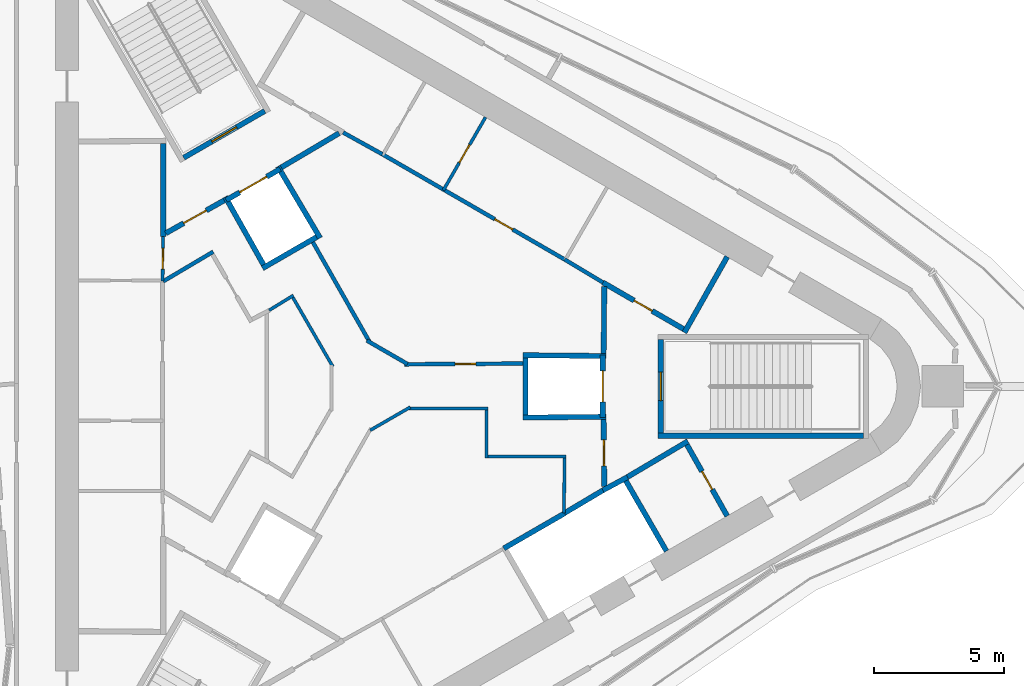
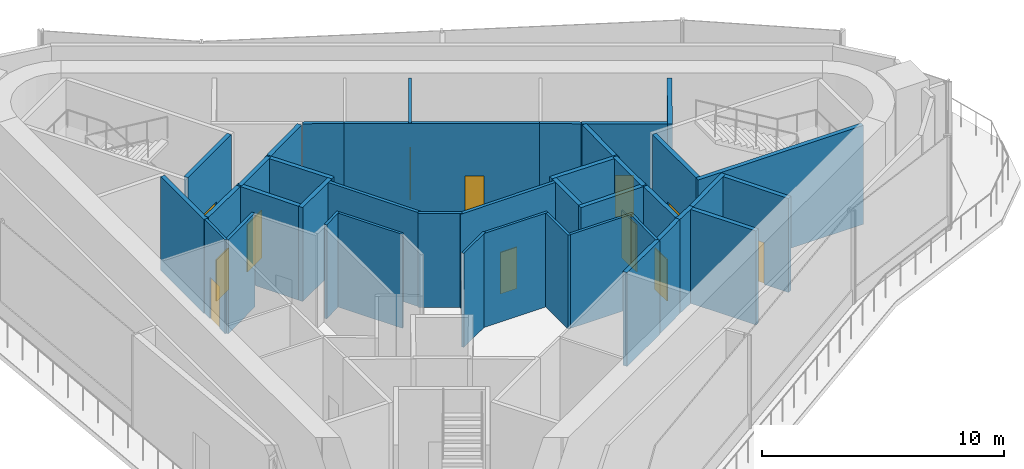
# One storey, part 5 of 8: 40 walls, 12 doors, 12 openings.
"""IFC4 building model written with IfcOpenShell, lengths in metres."""

import ifcopenshell
import ifcopenshell.guid

model = None  # the IFC model being written
_history = None  # IfcOwnerHistory: only IFC2X3 demands one
_inside = {}  # id of a spatial element -> (the spatial element, [elements in it])
_under = {}  # id of a project, library or spatial element -> (it, [spatial elements below it])
_declared = {}  # id of a project -> (the project, [libraries it declares])
_typed = {}  # id of a type object -> (the type object, [elements of that type])
_made_of = {}  # id of a material, layer set ... -> (it, [elements and type objects made of it])


def new_model(schema):
    """Start an empty IFC model of exactly this schema.

    Asked for "IFC4X3", IfcOpenShell would pick the latest addendum, in which some entities
    have other attributes; the version numbers below select the first issue.
    IFC2X3 requires an IfcOwnerHistory on every rooted entity: one is made here for all.
    """
    global model, _history
    if schema == "IFC4X3":
        model = ifcopenshell.file(schema_version=(4, 3, 0, 0))
    else:
        model = ifcopenshell.file(schema=schema)
    _inside.clear()
    _under.clear()
    _declared.clear()
    _typed.clear()
    _made_of.clear()
    _history = None
    if model.schema == "IFC2X3":
        org = make("IfcOrganization", Name="unknown")
        user = make(
            "IfcPersonAndOrganization",
            ThePerson=make("IfcPerson", FamilyName="unknown"),
            TheOrganization=org,
        )
        app = make(
            "IfcApplication",
            ApplicationDeveloper=org,
            Version="unknown",
            ApplicationFullName="unknown",
            ApplicationIdentifier="unknown",
        )
        _history = make(
            "IfcOwnerHistory",
            OwningUser=user,
            OwningApplication=app,
            ChangeAction="ADDED",
            CreationDate=0,
        )
    return model


def make(cls, **values):
    """One entity of the class cls with the attributes given. An attribute that is None is left unset."""
    return model.create_entity(
        cls, **{name: value for name, value in values.items() if value is not None}
    )


def rooted(cls, **values):
    """An entity with a GlobalId (a new one), such as an element, a storey or a relation."""
    return make(cls, GlobalId=ifcopenshell.guid.new(), OwnerHistory=_history, **values)


def si_unit(unit_type, name, prefix=None):
    """IfcSIUnit, for example si_unit("LENGTHUNIT", "METRE", prefix="MILLI")."""
    return make("IfcSIUnit", UnitType=unit_type, Prefix=prefix, Name=name)


def assignment(units):
    """IfcUnitAssignment: the units of a project."""
    return None if units is None else make("IfcUnitAssignment", Units=units)


def point(xyz):
    """IfcCartesianPoint."""
    return None if xyz is None else make("IfcCartesianPoint", Coordinates=xyz)


def direction(xyz):
    """IfcDirection."""
    return None if xyz is None else make("IfcDirection", DirectionRatios=xyz)


def frame(location, z_axis=None, x_axis=None):
    """IfcAxis2Placement3D, a coordinate frame: its origin and axes. An axis left out is left unset."""
    return make(
        "IfcAxis2Placement3D",
        Location=point(location),
        Axis=direction(z_axis),
        RefDirection=direction(x_axis),
    )


def frame_2d(location, x_axis=None):
    """IfcAxis2Placement2D, a coordinate frame in the plane: its origin and x axis."""
    return make(
        "IfcAxis2Placement2D", Location=point(location), RefDirection=direction(x_axis)
    )


def origin():
    """The frame at (0, 0, 0) with its axes left unset."""
    return frame((0.0, 0.0, 0.0))


def place(relative_to, where):
    """IfcLocalPlacement: puts the frame where relative to a parent placement (None: the world)."""
    return make(
        "IfcLocalPlacement", PlacementRelTo=relative_to, RelativePlacement=where
    )


def context(
    kind, dimensions, precision=None, world=None, true_north=None, identifier=None
):
    """IfcGeometricRepresentationContext, for example the 3D "Model" context."""
    return make(
        "IfcGeometricRepresentationContext",
        ContextIdentifier=identifier,
        ContextType=kind,
        CoordinateSpaceDimension=dimensions,
        Precision=precision,
        WorldCoordinateSystem=world,
        TrueNorth=true_north,
    )


def subcontext(parent, identifier, kind, view, scale=None):
    """IfcGeometricRepresentationSubContext, for example "Body" below "Model"."""
    return make(
        "IfcGeometricRepresentationSubContext",
        ContextIdentifier=identifier,
        ContextType=kind,
        ParentContext=parent,
        TargetScale=scale,
        TargetView=view,
    )


def project(units=None, contexts=None):
    """IfcProject with its units and contexts."""
    return rooted(
        "IfcProject",
        Name="project",
        RepresentationContexts=contexts,
        UnitsInContext=assignment(units),
    )


def spatial(cls, under=None, at=None, **own):
    """A site, building, storey or space (cls), placed at a placement, below another one or the project."""
    s = rooted(cls, ObjectPlacement=at, **own)
    if under is not None:
        _under.setdefault(under.id(), (under, []))[1].append(s)
    return s


def profile(cls, at=None, kind="AREA", **sizes):
    """A parametric profile (cls). Its sizes go by their IFC names, for example OverallWidth=200.0."""
    return make(cls, ProfileType=kind, Position=at, **sizes)


def rectangle(**sizes):
    """IfcRectangleProfileDef."""
    return profile("IfcRectangleProfileDef", **sizes)


def extrude(swept, where, along, depth):
    """IfcExtrudedAreaSolid: the profile swept, set in the frame where, extruded along a direction by depth."""
    return make(
        "IfcExtrudedAreaSolid",
        SweptArea=swept,
        Position=where,
        ExtrudedDirection=direction(along),
        Depth=depth,
    )


def shape(context_of_items, identifier, shape_type, items):
    """IfcShapeRepresentation: the items that make up one representation, for example the "Body"."""
    return make(
        "IfcShapeRepresentation",
        ContextOfItems=context_of_items,
        RepresentationIdentifier=identifier,
        RepresentationType=shape_type,
        Items=items,
    )


def material(Name=None, Category=None):
    """IfcMaterial."""
    return make("IfcMaterial", Name=Name, Category=Category)


def layer(
    of_material, thickness, ventilated=None, Name=None, Category=None, Priority=None
):
    """IfcMaterialLayer: one layer of a wall or slab, of a material (None: an air gap)."""
    return make(
        "IfcMaterialLayer",
        Material=of_material,
        LayerThickness=thickness,
        IsVentilated=ventilated,
        Name=Name,
        Category=Category,
        Priority=Priority,
    )


def layer_set(layers, Name=None):
    """IfcMaterialLayerSet."""
    return make("IfcMaterialLayerSet", MaterialLayers=layers, LayerSetName=Name)


def made_of(thing, what):
    """Note that an element or type object is made of a material, layer set ...; save() writes the relation."""
    if what is not None:
        _made_of.setdefault(what.id(), (what, []))[1].append(thing)
    return thing


def type_object(cls, material=None, **own):
    """A type object (cls), such as IfcWallType, which elements share."""
    return made_of(rooted(cls, **own), material)


def element(
    cls,
    number,
    at=None,
    inside=None,
    cuts=None,
    type_object=None,
    material=None,
    context=None,
    identifier="Body",
    shape_type=None,
    held_by="IfcProductDefinitionShape",
    body=None,
    shapes=None,
    **own,
):
    """One element of the class cls, such as IfcWall. Its Tag is "e" and its number.

    at: its placement. inside: the storey or other place that contains it. cuts: it is an
    opening in that element (IfcRelVoidsElement). A single representation is given by context,
    identifier, shape_type and body (its items); several are given by shapes. held_by: the class
    of the entity that holds the representations. save() writes the other relations.
    """
    e = rooted(cls, Tag="e%d" % number, ObjectPlacement=at, **own)
    if body is not None:
        shapes = [shape(context, identifier, shape_type, body)]
    if shapes is not None:
        e.Representation = make(held_by, Representations=shapes)
    if inside is not None:
        _inside.setdefault(inside.id(), (inside, []))[1].append(e)
    if cuts is not None:
        rooted(
            "IfcRelVoidsElement", RelatingBuildingElement=cuts, RelatedOpeningElement=e
        )
    if type_object is not None:
        _typed.setdefault(type_object.id(), (type_object, []))[1].append(e)
    return made_of(e, material)


def fill(opening, filler):
    """IfcRelFillsElement: the door or window that sits in an opening."""
    return rooted(
        "IfcRelFillsElement",
        RelatingOpeningElement=opening,
        RelatedBuildingElement=filler,
    )


def aggregate(whole, parts):
    """IfcRelAggregates: a whole, such as a stair, and the parts it consists of."""
    return rooted("IfcRelAggregates", RelatingObject=whole, RelatedObjects=parts)


def save(model, path):
    """Write the relations noted so far, then the file.

    IfcRelAggregates (storeys below a building ...), IfcRelContainedInSpatialStructure (elements
    in a storey), IfcRelDefinesByType, IfcRelAssociatesMaterial and IfcRelDeclares: one each for
    every whole, place, type object, material and project.
    """
    for whole, parts in _under.values():
        aggregate(whole, parts)
    for where, things in _inside.values():
        rooted(
            "IfcRelContainedInSpatialStructure",
            RelatedElements=things,
            RelatingStructure=where,
        )
    for kind, things in _typed.values():
        rooted("IfcRelDefinesByType", RelatedObjects=things, RelatingType=kind)
    for what, things in _made_of.values():
        rooted("IfcRelAssociatesMaterial", RelatedObjects=things, RelatingMaterial=what)
    for by, libraries in _declared.values():
        rooted("IfcRelDeclares", RelatingContext=by, RelatedDefinitions=libraries)
    model.write(path)


model = new_model("IFC4")

# Units and contexts
model_context = context("Model", 3, precision=1e-05, world=origin(), true_north=direction((0.0, 1.0)))
body_context = subcontext(model_context, "Body", "Model", "MODEL_VIEW")
ifc_project = project(units=[si_unit("LENGTHUNIT", "METRE"), si_unit("AREAUNIT", "SQUARE_METRE"), si_unit("VOLUMEUNIT", "CUBIC_METRE"), si_unit("PLANEANGLEUNIT", "RADIAN"), si_unit("MASSUNIT", "GRAM", prefix="KILO")], contexts=[model_context])

# Site, building, storey
site_placement = place(None, origin())
site = spatial("IfcSite", under=ifc_project, at=site_placement, CompositionType="ELEMENT")
building_placement = place(site_placement, origin())
building = spatial("IfcBuilding", under=site, at=building_placement, Name="Tanit Gate Tower", CompositionType="ELEMENT")
storey_placement = place(building_placement, frame((0.0, 0.0, 435.300048828125)))
storey = spatial("IfcBuildingStorey", under=building, at=storey_placement, Name="L98", CompositionType="ELEMENT", Elevation=435.300048828125)

# Walls
ifc_material_1 = material(Name="Fire-rated gypsum board partition")
ifc_layer_1 = layer(ifc_material_1, 0.199951171875)
ifc_layer_set_1 = layer_set([ifc_layer_1], Name="INT-WALL-COMPARTMENT")
wall_type_1 = type_object("IfcWallType", Name="INT-WALL-COMPARTMENT", PredefinedType="PARTITIONING", material=ifc_layer_set_1)
wall_1_placement = place(storey_placement, frame((-7.949951171875, 5.7724609375, 0.0), z_axis=(0.0, 0.0, 1.0), x_axis=(0.0, 1.0, 0.0)))
element("IfcWall", 1, at=wall_1_placement, inside=storey, type_object=wall_type_1, Name="Wall Compartment W035", PredefinedType="PARTITIONING", context=body_context, shape_type="SweptSolid", body=[
    extrude(rectangle(XDim=3.57763671875, YDim=0.199951171875, at=frame_2d((1.788818359375, 0.0))), origin(), (0.0, 0.0, 1.0), 4.75),
])
wall_2_placement = place(storey_placement, frame((12.10986328125, 2.07275390625, 0.0), z_axis=(0.0, 0.0, 1.0), x_axis=(0.49196600604, 0.870614408852, 0.0)))
element("IfcWall", 2, at=wall_2_placement, inside=storey, type_object=wall_type_1, Name="Wall Compartment W045", PredefinedType="PARTITIONING", context=body_context, shape_type="SweptSolid", body=[
    extrude(rectangle(XDim=3.35009765625, YDim=0.199951171875, at=frame_2d((1.675048828125, 0.0))), origin(), (0.0, 0.0, 1.0), 4.75),
])

# Wall, opening, door
wall_3_placement = place(storey_placement, frame((8.97412109375, 3.998779296875, 0.0), z_axis=(0.0, 0.0, 1.0), x_axis=(0.86601284211, -0.500021756827, 0.0)))
wall_3 = element("IfcWall", 3, at=wall_3_placement, inside=storey, type_object=wall_type_1, Name="Wall Compartment W046", PredefinedType="PARTITIONING", context=body_context, shape_type="SweptSolid", body=[
    extrude(rectangle(XDim=3.577392578125, YDim=0.199951171875, at=frame_2d((1.78857421875, 0.0))), origin(), (0.0, 0.0, 1.0), 4.75),
])
opening_1_placement = place(wall_3_placement, frame((1.388916015625, 0.0, 0.0)))
opening_1 = element("IfcOpeningElement", 4, at=opening_1_placement, cuts=wall_3, Name="Opening R08-98-17", PredefinedType="OPENING", context=body_context, shape_type="SweptSolid", body=[
    extrude(rectangle(XDim=0.800048828125, YDim=2.10009765625, at=frame_2d((0.39990234375, 1.050048828125))), frame((0.0, 0.10986328125, 0.0), z_axis=(0.0, -1.0, 0.0), x_axis=(1.0, 0.0, 0.0)), (0.0, 0.0, 1.0), 0.219970703125),
])
ifc_material_2 = material(Name="Timber door leaf", Category="wood")
door_type_1 = type_object("IfcDoorType", Name="INT-DOOR-RISER-800", OperationType="NOTDEFINED", PredefinedType="USERDEFINED", material=ifc_material_2)
door_1_placement = place(opening_1_placement, origin())
door_1 = element("IfcDoor", 5, at=door_1_placement, inside=storey, type_object=door_type_1, Name="Door R08-98-17", ObjectType="FIRE DOOR", OperationType="SINGLE_SWING_LEFT", OverallHeight=2.10009765625, OverallWidth=0.800048828125, PredefinedType="USERDEFINED", context=body_context, shape_type="SweptSolid", body=[
    extrude(rectangle(XDim=0.800048828125, YDim=2.10009765625, at=frame_2d((0.39990234375, 1.050048828125))), frame((0.0, 0.02490234375, 0.0), z_axis=(0.0, -1.0, 0.0), x_axis=(1.0, 0.0, 0.0)), (0.0, 0.0, 1.0), 0.050048828125),
])
fill(opening_1, door_1)

# Wall
wall_4_placement = place(storey_placement, frame((12.244873046875, -2.10888671875, 0.0), z_axis=(0.0, 0.0, 1.0), x_axis=(-0.860414880418, -0.509594185166, 0.0)))
element("IfcWall", 6, at=wall_4_placement, inside=storey, type_object=wall_type_1, Name="Wall Compartment W060", PredefinedType="PARTITIONING", context=body_context, shape_type="SweptSolid", body=[
    extrude(rectangle(XDim=2.7001953125, YDim=0.199951171875, at=frame_2d((1.35009765625, 0.0))), origin(), (0.0, 0.0, 1.0), 4.75),
])

# Wall, opening, door
wall_5_placement = place(storey_placement, frame((13.758056640625, -4.989501953125, 0.0), z_axis=(0.0, 0.0, 1.0), x_axis=(-0.491993409184, 0.87059892334, 0.0)))
wall_5 = element("IfcWall", 7, at=wall_5_placement, inside=storey, type_object=wall_type_1, Name="Wall Compartment W061", PredefinedType="PARTITIONING", context=body_context, shape_type="SweptSolid", body=[
    extrude(rectangle(XDim=3.150146484375, YDim=0.199951171875, at=frame_2d((1.5751953125, 0.0))), origin(), (0.0, 0.0, 1.0), 4.75),
])
opening_2_placement = place(wall_5_placement, frame((1.175048828125, 0.0, 0.0)))
opening_2 = element("IfcOpeningElement", 8, at=opening_2_placement, cuts=wall_5, Name="Opening R08-98-22", PredefinedType="OPENING", context=body_context, shape_type="SweptSolid", body=[
    extrude(rectangle(XDim=0.800048828125, YDim=2.10009765625, at=frame_2d((0.39990234375, 1.050048828125))), frame((0.0, 0.10986328125, 0.0), z_axis=(0.0, -1.0, 0.0), x_axis=(1.0, 0.0, 0.0)), (0.0, 0.0, 1.0), 0.219970703125),
])
door_2_placement = place(opening_2_placement, origin())
door_2 = element("IfcDoor", 9, at=door_2_placement, inside=storey, type_object=door_type_1, Name="Door R08-98-22", ObjectType="FIRE DOOR", OperationType="SINGLE_SWING_LEFT", OverallHeight=2.10009765625, OverallWidth=0.800048828125, PredefinedType="USERDEFINED", context=body_context, shape_type="SweptSolid", body=[
    extrude(rectangle(XDim=0.800048828125, YDim=2.10009765625, at=frame_2d((0.39990234375, 1.050048828125))), frame((0.0, 0.02490234375, 0.0), z_axis=(0.0, -1.0, 0.0), x_axis=(1.0, 0.0, 0.0)), (0.0, 0.0, 1.0), 0.050048828125),
])
fill(opening_2, door_2)

# Wall
wall_6_placement = place(storey_placement, frame((9.0009765625, 1.27001953125, 0.0), z_axis=(0.0, 0.0, 1.0), x_axis=(0.010780534828, 0.999941888346, 0.0)))
element("IfcWall", 10, at=wall_6_placement, inside=storey, type_object=wall_type_1, Name="Wall Compartment W062", PredefinedType="PARTITIONING", context=body_context, shape_type="SweptSolid", body=[
    extrude(rectangle(XDim=2.581787109375, YDim=0.199951171875, at=frame_2d((1.291015625, 0.0))), origin(), (0.0, 0.0, 1.0), 4.75),
])

# Wall, opening, door
wall_7_placement = place(storey_placement, frame((9.02880859375, -3.850830078125, 0.0), z_axis=(0.0, 0.0, 1.0), x_axis=(-0.010783593937, 0.99994185536, 0.0)))
wall_7 = element("IfcWall", 11, at=wall_7_placement, inside=storey, type_object=wall_type_1, Name="Wall Compartment W063", PredefinedType="PARTITIONING", context=body_context, shape_type="SweptSolid", body=[
    extrude(rectangle(XDim=2.5810546875, YDim=0.199951171875, at=frame_2d((1.29052734375, 0.0))), origin(), (0.0, 0.0, 1.0), 4.75),
])
opening_3_placement = place(wall_7_placement, frame((0.79052734375, 0.0, 0.0)))
opening_3 = element("IfcOpeningElement", 12, at=opening_3_placement, cuts=wall_7, Name="Opening F10-98-02", PredefinedType="OPENING", context=body_context, shape_type="SweptSolid", body=[
    extrude(rectangle(XDim=1.0, YDim=2.10009765625, at=frame_2d((0.5, 1.050048828125))), frame((0.0, 0.10986328125, 0.0), z_axis=(0.0, -1.0, 0.0), x_axis=(1.0, 0.0, 0.0)), (0.0, 0.0, 1.0), 0.219970703125),
])
ifc_material_3 = material(Name="Fire-rated steel door leaf", Category="steel")
door_type_2 = type_object("IfcDoorType", Name="INT-DOOR-FIRE-1000", OperationType="NOTDEFINED", PredefinedType="USERDEFINED", material=ifc_material_3)
door_3_placement = place(opening_3_placement, origin())
door_3 = element("IfcDoor", 13, at=door_3_placement, inside=storey, type_object=door_type_2, Name="Door F10-98-02", ObjectType="FIRE DOOR", OperationType="SINGLE_SWING_RIGHT", OverallHeight=2.10009765625, OverallWidth=1.0, PredefinedType="USERDEFINED", context=body_context, shape_type="SweptSolid", body=[
    extrude(rectangle(XDim=1.0, YDim=2.10009765625, at=frame_2d((0.5, 1.050048828125))), frame((0.0, 0.02490234375, 0.0), z_axis=(0.0, -1.0, 0.0), x_axis=(1.0, 0.0, 0.0)), (0.0, 0.0, 1.0), 0.050048828125),
])
fill(opening_3, door_3)

# Wall
wall_8_placement = place(storey_placement, frame((-1.1787109375, 9.744873046875, 0.0), z_axis=(0.0, 0.0, 1.0), x_axis=(-0.860630814782, -0.509229418482, 0.0)))
element("IfcWall", 14, at=wall_8_placement, inside=storey, type_object=wall_type_1, Name="Wall Compartment W064", PredefinedType="PARTITIONING", context=body_context, shape_type="SweptSolid", body=[
    extrude(rectangle(XDim=2.581787109375, YDim=0.199951171875, at=frame_2d((1.291015625, 0.0))), origin(), (0.0, 0.0, 1.0), 4.75),
])

# Wall, opening, door
wall_9_placement = place(storey_placement, frame((-5.600341796875, 7.16015625, 0.0), z_axis=(0.0, 0.0, 1.0), x_axis=(-0.871350695252, -0.490660744185, 0.0)))
wall_9 = element("IfcWall", 15, at=wall_9_placement, inside=storey, type_object=wall_type_1, Name="Wall Compartment W065", PredefinedType="PARTITIONING", context=body_context, shape_type="SweptSolid", body=[
    extrude(rectangle(XDim=2.58203125, YDim=0.199951171875, at=frame_2d((1.291015625, 0.0))), origin(), (0.0, 0.0, 1.0), 4.75),
])
opening_4_placement = place(wall_9_placement, frame((0.791015625, 0.0, 0.0)))
opening_4 = element("IfcOpeningElement", 16, at=opening_4_placement, cuts=wall_9, Name="Opening F10-98-05", PredefinedType="OPENING", context=body_context, shape_type="SweptSolid", body=[
    extrude(rectangle(XDim=1.0, YDim=2.10009765625, at=frame_2d((0.5, 1.050048828125))), frame((0.0, 0.10986328125, 0.0), z_axis=(0.0, -1.0, 0.0), x_axis=(1.0, 0.0, 0.0)), (0.0, 0.0, 1.0), 0.219970703125),
])
door_4_placement = place(opening_4_placement, origin())
door_4 = element("IfcDoor", 17, at=door_4_placement, inside=storey, type_object=door_type_2, Name="Door F10-98-05", ObjectType="FIRE DOOR", OperationType="SINGLE_SWING_RIGHT", OverallHeight=2.10009765625, OverallWidth=1.0, PredefinedType="USERDEFINED", context=body_context, shape_type="SweptSolid", body=[
    extrude(rectangle(XDim=1.0, YDim=2.10009765625, at=frame_2d((0.5, 1.050048828125))), frame((0.0, 0.02490234375, 0.0), z_axis=(0.0, -1.0, 0.0), x_axis=(1.0, 0.0, 0.0)), (0.0, 0.0, 1.0), 0.050048828125),
])
fill(opening_4, door_4)

ifc_material_4 = material(Name="Gypsum board partition")
ifc_layer_2 = layer(ifc_material_4, 0.1201171875)
ifc_layer_set_2 = layer_set([ifc_layer_2], Name="INT-WALL-PARTITION")
wall_type_2 = type_object("IfcWallType", Name="INT-WALL-PARTITION", PredefinedType="PARTITIONING", material=ifc_layer_set_2)
wall_10_placement = place(storey_placement, frame((-7.971435546875, 4.050048828125, 0.0), z_axis=(0.0, 0.0, 1.0), x_axis=(0.012047318415, 0.999927428426, 0.0)))
wall_10 = element("IfcWall", 18, at=wall_10_placement, inside=storey, type_object=wall_type_2, Name="Wall Partition W036", PredefinedType="PARTITIONING", context=body_context, shape_type="SweptSolid", body=[
    extrude(rectangle(XDim=1.72265625, YDim=0.1201171875, at=frame_2d((0.861328125, 0.0))), origin(), (0.0, 0.0, 1.0), 4.75),
])
opening_5_placement = place(wall_10_placement, frame((0.461181640625, 0.0, 0.0)))
opening_5 = element("IfcOpeningElement", 19, at=opening_5_placement, cuts=wall_10, Name="Opening R08-98-14", PredefinedType="OPENING", context=body_context, shape_type="SweptSolid", body=[
    extrude(rectangle(XDim=0.800048828125, YDim=2.10009765625, at=frame_2d((0.39990234375, 1.050048828125))), frame((0.0, 0.070068359375, 0.0), z_axis=(0.0, -1.0, 0.0), x_axis=(1.0, 0.0, 0.0)), (0.0, 0.0, 1.0), 0.14013671875),
])
door_5_placement = place(opening_5_placement, origin())
door_5 = element("IfcDoor", 20, at=door_5_placement, inside=storey, type_object=door_type_1, Name="Door R08-98-14", ObjectType="FIRE DOOR", OperationType="SINGLE_SWING_RIGHT", OverallHeight=2.10009765625, OverallWidth=0.800048828125, PredefinedType="USERDEFINED", context=body_context, shape_type="SweptSolid", body=[
    extrude(rectangle(XDim=0.800048828125, YDim=2.10009765625, at=frame_2d((0.39990234375, 1.050048828125))), frame((0.0, 0.02490234375, 0.0), z_axis=(0.0, -1.0, 0.0), x_axis=(1.0, 0.0, 0.0)), (0.0, 0.0, 1.0), 0.050048828125),
])
fill(opening_5, door_5)

wall_11_placement = place(storey_placement, frame((4.456787109375, 10.359375, 0.0), z_axis=(0.0, 0.0, 1.0), x_axis=(-0.500017246033, -0.866015446554, 0.0)))
wall_11 = element("IfcWall", 21, at=wall_11_placement, inside=storey, type_object=wall_type_2, Name="Wall Partition W048", PredefinedType="PARTITIONING", context=body_context, shape_type="SweptSolid", body=[
    extrude(rectangle(XDim=3.25, YDim=0.1201171875, at=frame_2d((1.625, 0.0))), origin(), (0.0, 0.0, 1.0), 4.75),
])
opening_6_placement = place(wall_11_placement, frame((1.22509765625, 0.0, 0.0)))
opening_6 = element("IfcOpeningElement", 22, at=opening_6_placement, cuts=wall_11, Name="Opening R08-98-18", PredefinedType="OPENING", context=body_context, shape_type="SweptSolid", body=[
    extrude(rectangle(XDim=0.800048828125, YDim=2.10009765625, at=frame_2d((0.39990234375, 1.050048828125))), frame((0.0, 0.070068359375, 0.0), z_axis=(0.0, -1.0, 0.0), x_axis=(1.0, 0.0, 0.0)), (0.0, 0.0, 1.0), 0.14013671875),
])
door_6_placement = place(opening_6_placement, origin())
door_6 = element("IfcDoor", 23, at=door_6_placement, inside=storey, type_object=door_type_1, Name="Door R08-98-18", ObjectType="FIRE DOOR", OperationType="SINGLE_SWING_RIGHT", OverallHeight=2.10009765625, OverallWidth=0.800048828125, PredefinedType="USERDEFINED", context=body_context, shape_type="SweptSolid", body=[
    extrude(rectangle(XDim=0.800048828125, YDim=2.10009765625, at=frame_2d((0.39990234375, 1.050048828125))), frame((0.0, 0.02490234375, 0.0), z_axis=(0.0, -1.0, 0.0), x_axis=(1.0, 0.0, 0.0)), (0.0, 0.0, 1.0), 0.050048828125),
])
fill(opening_6, door_6)

# Walls
wall_12_placement = place(storey_placement, frame((1.562255859375, -0.798095703125, 0.0), z_axis=(0.0, 0.0, 1.0), x_axis=(-0.86601248742, -0.500022371132, 0.0)))
element("IfcWall", 24, at=wall_12_placement, inside=storey, type_object=wall_type_2, Name="Wall Partition W072", PredefinedType="PARTITIONING", context=body_context, shape_type="SweptSolid", body=[
    extrude(rectangle(XDim=1.78515625, YDim=0.1201171875, at=frame_2d((0.892578125, 0.0))), origin(), (0.0, 0.0, 1.0), 4.75),
])
wall_13_placement = place(storey_placement, frame((4.56005859375, -0.85009765625, 0.0), z_axis=(0.0, 0.0, 1.0), x_axis=(-1.0, 0.0, 0.0)))
element("IfcWall", 25, at=wall_13_placement, inside=storey, type_object=wall_type_2, Name="Wall Partition W073", PredefinedType="PARTITIONING", context=body_context, shape_type="SweptSolid", body=[
    extrude(rectangle(XDim=3.0693359375, YDim=0.1201171875, at=frame_2d((1.53466796875, 0.0))), origin(), (0.0, 0.0, 1.0), 4.75),
])
wall_14_placement = place(storey_placement, frame((4.5, -2.760009765625, 0.0), z_axis=(0.0, 0.0, 1.0), x_axis=(0.0, 1.0, 0.0)))
element("IfcWall", 26, at=wall_14_placement, inside=storey, type_object=wall_type_2, Name="Wall Partition W074", PredefinedType="PARTITIONING", context=body_context, shape_type="SweptSolid", body=[
    extrude(rectangle(XDim=1.85009765625, YDim=0.1201171875, at=frame_2d((0.925048828125, 0.0))), origin(), (0.0, 0.0, 1.0), 4.75),
])
wall_15_placement = place(storey_placement, frame((7.56005859375, -2.699951171875, 0.0), z_axis=(0.0, 0.0, 1.0), x_axis=(-1.0, 0.0, 0.0)))
element("IfcWall", 27, at=wall_15_placement, inside=storey, type_object=wall_type_2, Name="Wall Partition W075", PredefinedType="PARTITIONING", context=body_context, shape_type="SweptSolid", body=[
    extrude(rectangle(XDim=3.0, YDim=0.1201171875, at=frame_2d((1.5, 0.0))), origin(), (0.0, 0.0, 1.0), 4.75),
])
wall_16_placement = place(storey_placement, frame((7.474609375, -4.864501953125, 0.0), z_axis=(0.0, 0.0, 1.0), x_axis=(0.011716133148, 0.999931363757, 0.0)))
element("IfcWall", 28, at=wall_16_placement, inside=storey, type_object=wall_type_2, Name="Wall Partition W076", PredefinedType="PARTITIONING", context=body_context, shape_type="SweptSolid", body=[
    extrude(rectangle(XDim=2.104736328125, YDim=0.1201171875, at=frame_2d((1.05224609375, 0.0))), origin(), (0.0, 0.0, 1.0), 4.75),
])
wall_17_placement = place(storey_placement, frame((-2.93505859375, 3.50341796875, 0.0), z_axis=(0.0, 0.0, 1.0), x_axis=(-0.852482838041, -0.522755211209, 0.0)))
element("IfcWall", 29, at=wall_17_placement, inside=storey, type_object=wall_type_2, Name="Wall Partition W084", PredefinedType="PARTITIONING", context=body_context, shape_type="SweptSolid", body=[
    extrude(rectangle(XDim=1.0966796875, YDim=0.1201171875, at=frame_2d((0.54833984375, 0.0))), origin(), (0.0, 0.0, 1.0), 4.75),
])
wall_18_placement = place(storey_placement, frame((-1.420166015625, 0.760009765625, 0.0), z_axis=(0.0, 0.0, 1.0), x_axis=(-0.500011413361, 0.866018814177, 0.0)))
element("IfcWall", 30, at=wall_18_placement, inside=storey, type_object=wall_type_2, Name="Wall Partition W085", PredefinedType="PARTITIONING", context=body_context, shape_type="SweptSolid", body=[
    extrude(rectangle(XDim=3.07177734375, YDim=0.1201171875, at=frame_2d((1.535888671875, 0.0))), origin(), (0.0, 0.0, 1.0), 4.75),
])
ifc_material_5 = material(Name="Fire-rated gypsum board partition")
ifc_layer_3 = layer(ifc_material_5, 0.14990234375)
ifc_layer_set_3 = layer_set([ifc_layer_3], Name="INT-WALL-RISER")
wall_type_3 = type_object("IfcWallType", Name="INT-WALL-RISER", PredefinedType="PLUMBINGWALL", material=ifc_layer_set_3)
wall_19_placement = place(storey_placement, frame((8.974609375, 3.999755859375, 0.0), z_axis=(0.0, 0.0, 1.0), x_axis=(-0.857530436795, 0.514433231791, 0.0)))
element("IfcWall", 31, at=wall_19_placement, inside=storey, type_object=wall_type_3, Name="Wall Riser W047", PredefinedType="PLUMBINGWALL", context=body_context, shape_type="SweptSolid", body=[
    extrude(rectangle(XDim=1.72265625, YDim=0.14990234375, at=frame_2d((0.861328125, 0.0))), origin(), (0.0, 0.0, 1.0), 4.75),
])

# Wall, opening, door
wall_20_placement = place(storey_placement, frame((7.497314453125, 4.885986328125, 0.0), z_axis=(0.0, 0.0, 1.0), x_axis=(-0.866030989016, 0.499990325971, 0.0)))
wall_20 = element("IfcWall", 32, at=wall_20_placement, inside=storey, type_object=wall_type_3, Name="Wall Riser W049", PredefinedType="PLUMBINGWALL", context=body_context, shape_type="SweptSolid", body=[
    extrude(rectangle(XDim=8.099853515625, YDim=0.14990234375, at=frame_2d((4.0498046875, 0.0))), origin(), (0.0, 0.0, 1.0), 4.75),
])
opening_7_placement = place(wall_20_placement, frame((2.300048828125, 0.0, 0.0)))
opening_7 = element("IfcOpeningElement", 33, at=opening_7_placement, cuts=wall_20, Name="Opening R08-98-24", PredefinedType="OPENING", context=body_context, shape_type="SweptSolid", body=[
    extrude(rectangle(XDim=0.800048828125, YDim=2.10009765625, at=frame_2d((0.39990234375, 1.050048828125))), frame((0.0, 0.0849609375, 0.0), z_axis=(0.0, -1.0, 0.0), x_axis=(1.0, 0.0, 0.0)), (0.0, 0.0, 1.0), 0.169921875),
])
door_7_placement = place(opening_7_placement, origin())
door_7 = element("IfcDoor", 34, at=door_7_placement, inside=storey, type_object=door_type_1, Name="Door R08-98-24", ObjectType="FIRE DOOR", OperationType="SINGLE_SWING_RIGHT", OverallHeight=2.10009765625, OverallWidth=0.800048828125, PredefinedType="USERDEFINED", context=body_context, shape_type="SweptSolid", body=[
    extrude(rectangle(XDim=0.800048828125, YDim=2.10009765625, at=frame_2d((0.39990234375, 1.050048828125))), frame((0.0, 0.02490234375, 0.0), z_axis=(0.0, -1.0, 0.0), x_axis=(1.0, 0.0, 0.0)), (0.0, 0.0, 1.0), 0.050048828125),
])
fill(opening_7, door_7)

# Wall
wall_21_placement = place(storey_placement, frame((0.482666015625, 8.935791015625, 0.0), z_axis=(0.0, 0.0, 1.0), x_axis=(-0.874290944206, 0.485402250592, 0.0)))
element("IfcWall", 35, at=wall_21_placement, inside=storey, type_object=wall_type_3, Name="Wall Riser W054", PredefinedType="PLUMBINGWALL", context=body_context, shape_type="SweptSolid", body=[
    extrude(rectangle(XDim=1.72265625, YDim=0.14990234375, at=frame_2d((0.861328125, 0.0))), origin(), (0.0, 0.0, 1.0), 4.75),
])

# Wall, opening, door
wall_22_placement = place(storey_placement, frame((1.34423828125, 0.84912109375, 0.0), z_axis=(0.0, 0.0, 1.0), x_axis=(0.999978627641, 0.00653790957, 0.0)))
wall_22 = element("IfcWall", 36, at=wall_22_placement, inside=storey, type_object=wall_type_3, Name="Wall Riser W068", PredefinedType="PLUMBINGWALL", context=body_context, shape_type="SweptSolid", body=[
    extrude(rectangle(XDim=4.5556640625, YDim=0.14990234375, at=frame_2d((2.27783203125, 0.0))), origin(), (0.0, 0.0, 1.0), 4.75),
])
opening_8_placement = place(wall_22_placement, frame((1.94189453125, 0.0, 0.0)))
opening_8 = element("IfcOpeningElement", 37, at=opening_8_placement, cuts=wall_22, Name="Opening R08-98-10", PredefinedType="OPENING", context=body_context, shape_type="SweptSolid", body=[
    extrude(rectangle(XDim=0.800048828125, YDim=2.10009765625, at=frame_2d((0.39990234375, 1.050048828125))), frame((0.0, 0.0849609375, 0.0), z_axis=(0.0, -1.0, 0.0), x_axis=(1.0, 0.0, 0.0)), (0.0, 0.0, 1.0), 0.169921875),
])
door_8_placement = place(opening_8_placement, origin())
door_8 = element("IfcDoor", 38, at=door_8_placement, inside=storey, type_object=door_type_1, Name="Door R08-98-10", ObjectType="FIRE DOOR", OperationType="SINGLE_SWING_LEFT", OverallHeight=2.10009765625, OverallWidth=0.800048828125, PredefinedType="USERDEFINED", context=body_context, shape_type="SweptSolid", body=[
    extrude(rectangle(XDim=0.800048828125, YDim=2.10009765625, at=frame_2d((0.39990234375, 1.050048828125))), frame((0.0, 0.02490234375, 0.0), z_axis=(0.0, -1.0, 0.0), x_axis=(1.0, 0.0, 0.0)), (0.0, 0.0, 1.0), 0.050048828125),
])
fill(opening_8, door_8)

# Walls
wall_23_placement = place(storey_placement, frame((-0.11083984375, 1.763916015625, 0.0), z_axis=(0.0, 0.0, 1.0), x_axis=(0.866061671171, -0.499937177781, 0.0)))
element("IfcWall", 39, at=wall_23_placement, inside=storey, type_object=wall_type_3, Name="Wall Riser W069", PredefinedType="PLUMBINGWALL", context=body_context, shape_type="SweptSolid", body=[
    extrude(rectangle(XDim=1.804443359375, YDim=0.14990234375, at=frame_2d((0.90234375, 0.0))), origin(), (0.0, 0.0, 1.0), 4.75),
])
wall_24_placement = place(storey_placement, frame((-2.18896484375, 5.549072265625, 0.0), z_axis=(0.0, 0.0, 1.0), x_axis=(0.494335077001, -0.869271437266, 0.0)))
element("IfcWall", 40, at=wall_24_placement, inside=storey, type_object=wall_type_3, Name="Wall Riser W070", PredefinedType="PLUMBINGWALL", context=body_context, shape_type="SweptSolid", body=[
    extrude(rectangle(XDim=4.404296875, YDim=0.14990234375, at=frame_2d((2.2021484375, 0.0))), origin(), (0.0, 0.0, 1.0), 4.75),
])
wall_25_placement = place(storey_placement, frame((-6.023681640625, 5.183349609375, 0.0), z_axis=(0.0, 0.0, 1.0), x_axis=(-0.860126804455, -0.510080268447, 0.0)))
element("IfcWall", 41, at=wall_25_placement, inside=storey, type_object=wall_type_3, Name="Wall Riser W081", PredefinedType="PLUMBINGWALL", context=body_context, shape_type="SweptSolid", body=[
    extrude(rectangle(XDim=2.239501953125, YDim=0.14990234375, at=frame_2d((1.11962890625, 0.0))), origin(), (0.0, 0.0, 1.0), 4.75),
])
ifc_material_6 = material(Name="Gypsum shaft wall system")
ifc_layer_4 = layer(ifc_material_6, 0.199951171875)
ifc_layer_set_4 = layer_set([ifc_layer_4], Name="INT-WALL-SHAFT")
wall_type_4 = type_object("IfcWallType", Name="INT-WALL-SHAFT", PredefinedType="PLUMBINGWALL", material=ifc_layer_set_4)
wall_26_placement = place(storey_placement, frame((5.1591796875, -6.23583984375, 0.0), z_axis=(0.0, 0.0, 1.0), x_axis=(0.866036505625, 0.499980770555, 0.0)))
element("IfcWall", 42, at=wall_26_placement, inside=storey, type_object=wall_type_4, Name="Wall Shaft W002", PredefinedType="PLUMBINGWALL", context=body_context, shape_type="SweptSolid", body=[
    extrude(rectangle(XDim=2.69970703125, YDim=0.199951171875, at=frame_2d((1.349853515625, 0.0))), origin(), (0.0, 0.0, 1.0), 4.75),
])
wall_27_placement = place(storey_placement, frame((9.794677734375, -3.52490234375, 0.0), z_axis=(0.0, 0.0, 1.0), x_axis=(0.499984717929, -0.866034226713, 0.0)))
element("IfcWall", 43, at=wall_27_placement, inside=storey, type_object=wall_type_4, Name="Wall Shaft W003", PredefinedType="PLUMBINGWALL", context=body_context, shape_type="SweptSolid", body=[
    extrude(rectangle(XDim=3.25, YDim=0.199951171875, at=frame_2d((1.625, 0.0))), origin(), (0.0, 0.0, 1.0), 4.75),
])
wall_28_placement = place(storey_placement, frame((8.97412109375, -3.998779296875, 0.0), z_axis=(0.0, 0.0, 1.0), x_axis=(0.880907015104, 0.473289373154, 0.0)))
element("IfcWall", 44, at=wall_28_placement, inside=storey, type_object=wall_type_4, Name="Wall Shaft W004", PredefinedType="PLUMBINGWALL", context=body_context, shape_type="SweptSolid", body=[
    extrude(rectangle(XDim=1.078125, YDim=0.199951171875, at=frame_2d((0.5390625, 0.0))), origin(), (0.0, 0.0, 1.0), 4.75),
])
wall_29_placement = place(storey_placement, frame((7.4931640625, -4.87841796875, 0.0), z_axis=(0.0, 0.0, 1.0), x_axis=(0.859981807212, 0.510324691999, 0.0)))
element("IfcWall", 45, at=wall_29_placement, inside=storey, type_object=wall_type_4, Name="Wall Shaft W005", PredefinedType="PLUMBINGWALL", context=body_context, shape_type="SweptSolid", body=[
    extrude(rectangle(XDim=1.8447265625, YDim=0.199951171875, at=frame_2d((0.92236328125, 0.0))), origin(), (0.0, 0.0, 1.0), 4.75),
])

# Wall, opening, door
wall_30_placement = place(storey_placement, frame((8.969970703125, 1.199951171875, 0.0), z_axis=(0.0, 0.0, 1.0), x_axis=(0.0, -1.0, 0.0)))
wall_30 = element("IfcWall", 46, at=wall_30_placement, inside=storey, type_object=wall_type_4, Name="Wall Shaft W010", PredefinedType="PLUMBINGWALL", context=body_context, shape_type="SweptSolid", body=[
    extrude(rectangle(XDim=2.39990234375, YDim=0.199951171875, at=frame_2d((1.199951171875, 0.0))), origin(), (0.0, 0.0, 1.0), 4.75),
])
opening_9_placement = place(wall_30_placement, frame((0.60009765625, 0.0, 0.0)))
opening_9 = element("IfcOpeningElement", 47, at=opening_9_placement, cuts=wall_30, Name="Opening LDFL1-L98", PredefinedType="OPENING", context=body_context, shape_type="SweptSolid", body=[
    extrude(rectangle(XDim=1.199951171875, YDim=2.39990234375, at=frame_2d((0.60009765625, 1.199951171875))), frame((0.0, 0.10986328125, 0.0), z_axis=(0.0, -1.0, 0.0), x_axis=(1.0, 0.0, 0.0)), (0.0, 0.0, 1.0), 0.219970703125),
])
ifc_material_7 = material(Name="Stainless steel sliding door leaf", Category="steel")
door_type_3 = type_object("IfcDoorType", Name="INT-DOOR-LANDING-1200", OperationType="NOTDEFINED", PredefinedType="USERDEFINED", material=ifc_material_7)
door_9_placement = place(opening_9_placement, origin())
door_9 = element("IfcDoor", 48, at=door_9_placement, inside=storey, type_object=door_type_3, Name="Door LDFL1-L98", ObjectType="LANDING DOOR", OperationType="SLIDING_TO_LEFT", OverallHeight=2.39990234375, OverallWidth=1.199951171875, PredefinedType="USERDEFINED", context=body_context, shape_type="SweptSolid", body=[
    extrude(rectangle(XDim=1.199951171875, YDim=2.39990234375, at=frame_2d((0.60009765625, 1.199951171875))), frame((0.0, 0.02490234375, 0.0), z_axis=(0.0, -1.0, 0.0), x_axis=(1.0, 0.0, 0.0)), (0.0, 0.0, 1.0), 0.050048828125),
])
fill(opening_9, door_9)

# Walls
wall_31_placement = place(storey_placement, frame((6.0, -1.10009765625, 0.0), z_axis=(0.0, 0.0, 1.0), x_axis=(0.0, 1.0, 0.0)))
element("IfcWall", 49, at=wall_31_placement, inside=storey, type_object=wall_type_4, Name="Wall Shaft W014", PredefinedType="PLUMBINGWALL", context=body_context, shape_type="SweptSolid", body=[
    extrude(rectangle(XDim=2.2001953125, YDim=0.199951171875, at=frame_2d((1.10009765625, 0.0))), origin(), (0.0, 0.0, 1.0), 4.75),
])
for number, where, z_axis, x_axis, name in (
    (50, (5.89990234375, 1.200927734375, 0.0), (0.0, 0.0, 1.0), (0.999950064753, -0.009993397809, 0.0), "Wall Shaft W012"),
    (51, (5.89990234375, -1.200927734375, 0.0), (0.0, 0.0, 1.0), (0.999950064753, 0.009993397809, 0.0), "Wall Shaft W013"),
):
    element("IfcWall", number, at=place(storey_placement, frame(where, z_axis=z_axis, x_axis=x_axis)), inside=storey, type_object=wall_type_4, Name=name, PredefinedType="PLUMBINGWALL", context=body_context, shape_type="SweptSolid", body=[
        extrude(rectangle(XDim=3.200439453125, YDim=0.199951171875, at=frame_2d((1.60009765625, 0.0))), origin(), (0.0, 0.0, 1.0), 4.75),
    ])

# Wall, opening, door
wall_32_placement = place(storey_placement, frame((-5.524169921875, 7.168212890625, 0.0), z_axis=(0.0, 0.0, 1.0), x_axis=(0.866024647952, 0.500001309137, 0.0)))
wall_32 = element("IfcWall", 52, at=wall_32_placement, inside=storey, type_object=wall_type_4, Name="Wall Shaft W019", PredefinedType="PLUMBINGWALL", context=body_context, shape_type="SweptSolid", body=[
    extrude(rectangle(XDim=2.39990234375, YDim=0.199951171875, at=frame_2d((1.199951171875, 0.0))), origin(), (0.0, 0.0, 1.0), 4.75),
])
opening_10_placement = place(wall_32_placement, frame((0.60009765625, 0.0, 0.0)))
opening_10 = element("IfcOpeningElement", 53, at=opening_10_placement, cuts=wall_32, Name="Opening LDFL2-L98", PredefinedType="OPENING", context=body_context, shape_type="SweptSolid", body=[
    extrude(rectangle(XDim=1.199951171875, YDim=2.39990234375, at=frame_2d((0.60009765625, 1.199951171875))), frame((0.0, 0.10986328125, 0.0), z_axis=(0.0, -1.0, 0.0), x_axis=(1.0, 0.0, 0.0)), (0.0, 0.0, 1.0), 0.219970703125),
])
door_10_placement = place(opening_10_placement, origin())
door_10 = element("IfcDoor", 54, at=door_10_placement, inside=storey, type_object=door_type_3, Name="Door LDFL2-L98", ObjectType="LANDING DOOR", OperationType="SLIDING_TO_LEFT", OverallHeight=2.39990234375, OverallWidth=1.199951171875, PredefinedType="USERDEFINED", context=body_context, shape_type="SweptSolid", body=[
    extrude(rectangle(XDim=1.199951171875, YDim=2.39990234375, at=frame_2d((0.60009765625, 1.199951171875))), frame((0.0, 0.02490234375, 0.0), z_axis=(0.0, -1.0, 0.0), x_axis=(1.0, 0.0, 0.0)), (0.0, 0.0, 1.0), 0.050048828125),
])
fill(opening_10, door_10)

# Walls
wall_33_placement = place(storey_placement, frame((-3.53759765625, 8.46533203125, 0.0), z_axis=(0.0, 0.0, 1.0), x_axis=(0.508616218331, -0.860993346345, 0.0)))
element("IfcWall", 55, at=wall_33_placement, inside=storey, type_object=wall_type_4, Name="Wall Shaft W020", PredefinedType="PLUMBINGWALL", context=body_context, shape_type="SweptSolid", body=[
    extrude(rectangle(XDim=3.2001953125, YDim=0.199951171875, at=frame_2d((1.60009765625, 0.0))), origin(), (0.0, 0.0, 1.0), 4.75),
])
wall_34_placement = place(storey_placement, frame((-2.04736328125, 5.74609375, 0.0), z_axis=(0.0, 0.0, 1.0), x_axis=(-0.866024647952, -0.500001309137, 0.0)))
element("IfcWall", 56, at=wall_34_placement, inside=storey, type_object=wall_type_4, Name="Wall Shaft W021", PredefinedType="PLUMBINGWALL", context=body_context, shape_type="SweptSolid", body=[
    extrude(rectangle(XDim=2.39990234375, YDim=0.199951171875, at=frame_2d((1.199951171875, 0.0))), origin(), (0.0, 0.0, 1.0), 4.75),
])
wall_35_placement = place(storey_placement, frame((-5.5625, 7.29638671875, 0.0), z_axis=(0.0, 0.0, 1.0), x_axis=(0.49134651263, -0.870964180966, 0.0)))
element("IfcWall", 57, at=wall_35_placement, inside=storey, type_object=wall_type_4, Name="Wall Shaft W023", PredefinedType="PLUMBINGWALL", context=body_context, shape_type="SweptSolid", body=[
    extrude(rectangle(XDim=3.000244140625, YDim=0.199951171875, at=frame_2d((1.5, 0.0))), origin(), (0.0, 0.0, 1.0), 4.75),
])
ifc_material_8 = material(Name="Concrete C40/50", Category="concrete")
ifc_layer_5 = layer(ifc_material_8, 0.199951171875)
ifc_layer_set_5 = layer_set([ifc_layer_5], Name="INT-WALL-STAIR")
wall_type_5 = type_object("IfcWallType", Name="INT-WALL-STAIR", PredefinedType="SHEAR", material=ifc_layer_set_5)
wall_36_placement = place(storey_placement, frame((11.10009765625, -1.89990234375, -0.25), z_axis=(0.0, 0.0, 1.0), x_axis=(1.0, 0.0, 0.0)))
element("IfcWall", 58, at=wall_36_placement, inside=storey, type_object=wall_type_5, Name="Wall Stair W008", PredefinedType="SHEAR", context=body_context, shape_type="SweptSolid", body=[
    extrude(rectangle(XDim=7.89990234375, YDim=0.199951171875, at=frame_2d((3.949951171875, 0.0))), origin(), (0.0, 0.0, 1.0), 5.0),
])

# Wall, opening, door
wall_37_placement = place(storey_placement, frame((11.199951171875, -1.800048828125, -0.25), z_axis=(0.0, 0.0, 1.0), x_axis=(0.0, 1.0, 0.0)))
wall_37 = element("IfcWall", 59, at=wall_37_placement, inside=storey, type_object=wall_type_5, Name="Wall Stair W009", PredefinedType="SHEAR", context=body_context, shape_type="SweptSolid", body=[
    extrude(rectangle(XDim=3.60009765625, YDim=0.199951171875, at=frame_2d((1.800048828125, 0.0))), origin(), (0.0, 0.0, 1.0), 5.0),
])
opening_11_placement = place(wall_37_placement, frame((1.25, 0.0, 0.25)))
opening_11 = element("IfcOpeningElement", 60, at=opening_11_placement, cuts=wall_37, Name="Opening S11-98-01", PredefinedType="OPENING", context=body_context, shape_type="SweptSolid", body=[
    extrude(rectangle(XDim=1.10009765625, YDim=2.10009765625, at=frame_2d((0.550048828125, 1.050048828125))), frame((0.0, 0.10986328125, 0.0), z_axis=(0.0, -1.0, 0.0), x_axis=(1.0, 0.0, 0.0)), (0.0, 0.0, 1.0), 0.219970703125),
])
ifc_material_9 = material(Name="Timber door leaf", Category="wood")
door_type_4 = type_object("IfcDoorType", Name="INT-DOOR-STAIR-1100", OperationType="NOTDEFINED", PredefinedType="USERDEFINED", material=ifc_material_9)
door_11_placement = place(opening_11_placement, origin())
door_11 = element("IfcDoor", 61, at=door_11_placement, inside=storey, type_object=door_type_4, Name="Door S11-98-01", ObjectType="FIRE DOOR", OperationType="SINGLE_SWING_RIGHT", OverallHeight=2.10009765625, OverallWidth=1.10009765625, PredefinedType="USERDEFINED", context=body_context, shape_type="SweptSolid", body=[
    extrude(rectangle(XDim=1.10009765625, YDim=2.10009765625, at=frame_2d((0.550048828125, 1.050048828125))), frame((0.0, 0.02490234375, 0.0), z_axis=(0.0, -1.0, 0.0), x_axis=(1.0, 0.0, 0.0)), (0.0, 0.0, 1.0), 0.050048828125),
])
fill(opening_11, door_11)

wall_38_placement = place(storey_placement, frame((-7.158935546875, 8.799560546875, -0.25), z_axis=(0.0, 0.0, 1.0), x_axis=(0.866047807691, 0.499961193289, 0.0)))
wall_38 = element("IfcWall", 62, at=wall_38_placement, inside=storey, type_object=wall_type_5, Name="Wall Stair W018", PredefinedType="SHEAR", context=body_context, shape_type="SweptSolid", body=[
    extrude(rectangle(XDim=3.599853515625, YDim=0.199951171875, at=frame_2d((1.7998046875, 0.0))), origin(), (0.0, 0.0, 1.0), 5.0),
])
opening_12_placement = place(wall_38_placement, frame((1.25, 0.0, 0.25)))
opening_12 = element("IfcOpeningElement", 63, at=opening_12_placement, cuts=wall_38, Name="Opening S11-98-04", PredefinedType="OPENING", context=body_context, shape_type="SweptSolid", body=[
    extrude(rectangle(XDim=1.10009765625, YDim=2.10009765625, at=frame_2d((0.550048828125, 1.050048828125))), frame((0.0, 0.10986328125, 0.0), z_axis=(0.0, -1.0, 0.0), x_axis=(1.0, 0.0, 0.0)), (0.0, 0.0, 1.0), 0.219970703125),
])
door_12_placement = place(opening_12_placement, origin())
door_12 = element("IfcDoor", 64, at=door_12_placement, inside=storey, type_object=door_type_4, Name="Door S11-98-04", ObjectType="FIRE DOOR", OperationType="SINGLE_SWING_LEFT", OverallHeight=2.10009765625, OverallWidth=1.10009765625, PredefinedType="USERDEFINED", context=body_context, shape_type="SweptSolid", body=[
    extrude(rectangle(XDim=1.10009765625, YDim=2.10009765625, at=frame_2d((0.550048828125, 1.050048828125))), frame((0.0, 0.02490234375, 0.0), z_axis=(0.0, -1.0, 0.0), x_axis=(1.0, 0.0, 0.0)), (0.0, 0.0, 1.0), 0.050048828125),
])
fill(opening_12, door_12)

save(model, "model.ifc")
